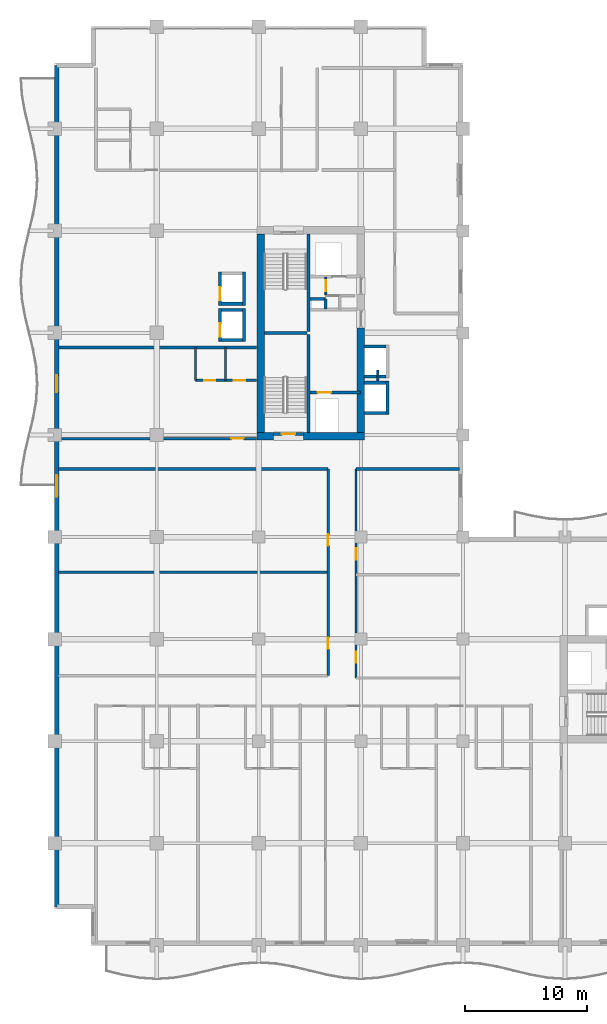
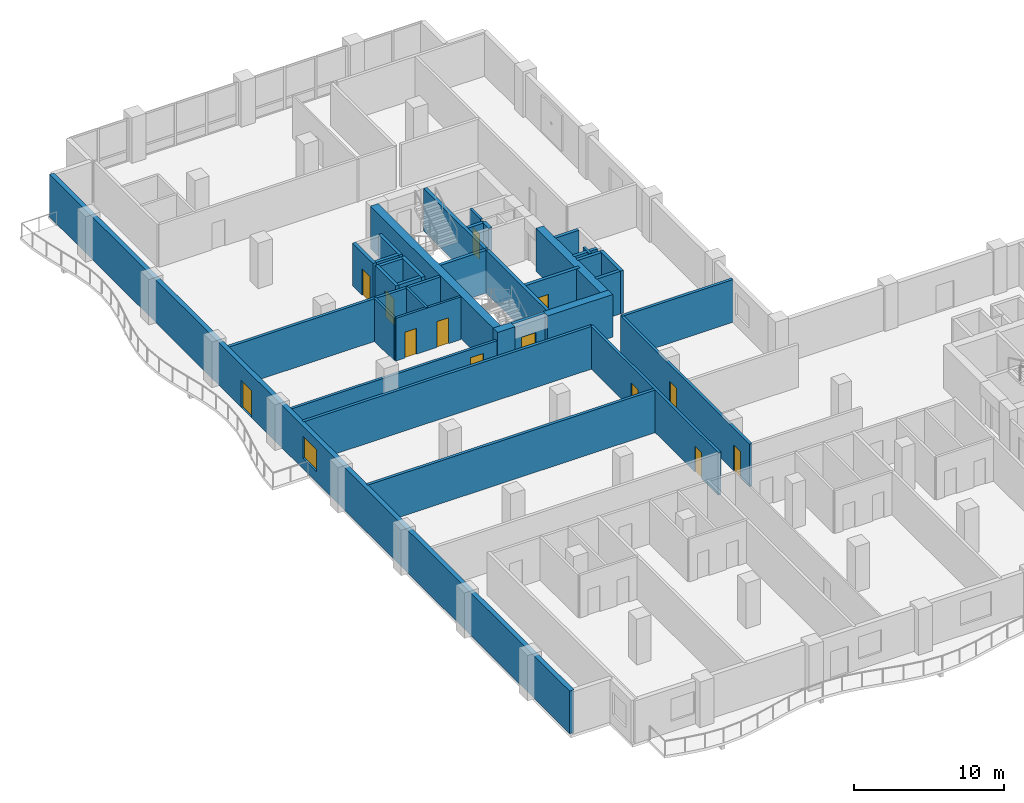
# One storey, part 9 of 18: 36 walls, 13 doors, 1 window, 14 openings.
"""IFC4 building model written with IfcOpenShell, lengths in metres."""

from ifc_helpers import new_model, si_unit, direction, frame, frame_2d, origin, place, context, subcontext, project, spatial, rectangle, extrude, material, layer, layer_set, type_object, element, fill, save


model = new_model("IFC4")

# Units and contexts
model_context = context("Model", 3, precision=1e-05, world=origin(), true_north=direction((0.0, 1.0)))
body_context = subcontext(model_context, "Body", "Model", "MODEL_VIEW")
ifc_project = project(units=[si_unit("LENGTHUNIT", "METRE"), si_unit("AREAUNIT", "SQUARE_METRE"), si_unit("VOLUMEUNIT", "CUBIC_METRE"), si_unit("PLANEANGLEUNIT", "RADIAN"), si_unit("MASSUNIT", "GRAM", prefix="KILO")], contexts=[model_context])

# Site, building, storey
site_placement = place(None, origin())
site = spatial("IfcSite", under=ifc_project, at=site_placement, CompositionType="ELEMENT")
building_placement = place(site_placement, origin())
building = spatial("IfcBuilding", under=site, at=building_placement, Name="Koriwani Terraces Tower", CompositionType="ELEMENT")
storey_placement = place(building_placement, frame((0.0, 0.0, 205.0)))
storey = spatial("IfcBuildingStorey", under=building, at=storey_placement, Name="L50", CompositionType="ELEMENT", Elevation=205.0)

# Walls
ifc_material_1 = material(Name="Concrete C60/75", Category="concrete")
ifc_layer_1 = layer(ifc_material_1, 0.60009765625, Name="Concrete C60/75")
ifc_layer_set_1 = layer_set([ifc_layer_1], Name="Concrete C60/75")
wall_type_1 = type_object("IfcWallType", Name="WALL_CORE_RC_600", PredefinedType="SHEAR", material=ifc_layer_set_1)
wall_1_placement = place(storey_placement, frame((16.64990234375, 41.89990234375, 0.0), z_axis=(0.0, 0.0, 1.0), x_axis=(1.0, 0.0, 0.0)))
element("IfcWall", 1, at=wall_1_placement, inside=storey, type_object=wall_type_1, Name="L50 West Split Core Shear Wall S1", PredefinedType="SHEAR", context=body_context, shape_type="SweptSolid", body=[
    extrude(rectangle(XDim=1.35009765625, YDim=0.60009765625, at=frame_2d((0.675048828125, 0.0))), origin(), (0.0, 0.0, 1.0), 3.469970703125),
])
wall_2_placement = place(storey_placement, frame((20.5, 41.89990234375, 0.0), z_axis=(0.0, 0.0, 1.0), x_axis=(1.0, 0.0, 0.0)))
element("IfcWall", 2, at=wall_2_placement, inside=storey, type_object=wall_type_1, Name="L50 West Split Core Shear Wall S2", PredefinedType="SHEAR", context=body_context, shape_type="SweptSolid", body=[
    extrude(rectangle(XDim=5.0, YDim=0.60009765625, at=frame_2d((2.5, 0.0))), origin(), (0.0, 0.0, 1.0), 3.469970703125),
])
wall_3_placement = place(storey_placement, frame((16.949951171875, 42.199951171875, 0.0), z_axis=(0.0, 0.0, 1.0), x_axis=(0.0, 1.0, 0.0)))
element("IfcWall", 3, at=wall_3_placement, inside=storey, type_object=wall_type_1, Name="L50 West Split Core Shear Wall W1", PredefinedType="SHEAR", context=body_context, shape_type="SweptSolid", body=[
    extrude(rectangle(XDim=16.35009765625, YDim=0.60009765625, at=frame_2d((8.175048828125, 0.0))), origin(), (0.0, 0.0, 1.0), 3.469970703125),
])
wall_4_placement = place(storey_placement, frame((25.199951171875, 42.199951171875, 0.0), z_axis=(0.0, 0.0, 1.0), x_axis=(0.0, 1.0, 0.0)))
element("IfcWall", 4, at=wall_4_placement, inside=storey, type_object=wall_type_1, Name="L50 West Split Core Shear Wall E1", PredefinedType="SHEAR", context=body_context, shape_type="SweptSolid", body=[
    extrude(rectangle(XDim=8.60009765625, YDim=0.60009765625, at=frame_2d((4.300048828125, 0.0))), origin(), (0.0, 0.0, 1.0), 3.469970703125),
])

# Wall, opening, door
ifc_material_2 = material(Name="Autoclaved Cellular Concrete Blockwork", Category="masonry")
ifc_layer_2 = layer(ifc_material_2, 0.199951171875, Name="Autoclaved Cellular Concrete Blockwork")
ifc_layer_set_2 = layer_set([ifc_layer_2], Name="Autoclaved Cellular Concrete Blockwork")
wall_type_2 = type_object("IfcWallType", Name="WALL_CORRIDOR_200", PredefinedType="PARTITIONING", material=ifc_layer_set_2)
wall_5_placement = place(storey_placement, frame((0.35009765625, 41.699951171875, 0.0), z_axis=(0.0, 0.0, 1.0), x_axis=(1.0, 0.0, 0.0)))
wall_5 = element("IfcWall", 5, at=wall_5_placement, inside=storey, type_object=wall_type_2, Name="L50 Interior Wall WREC-WS-L50", PredefinedType="PARTITIONING", context=body_context, shape_type="SweptSolid", body=[
    extrude(rectangle(XDim=16.25, YDim=0.199951171875, at=frame_2d((8.125, 0.0))), origin(), (0.0, 0.0, 1.0), 2.820068359375),
])
opening_1_placement = place(wall_5_placement, frame((14.199951171875, 0.0, 0.0)))
opening_1 = element("IfcOpeningElement", 6, at=opening_1_placement, cuts=wall_5, Name="Opening D-05", PredefinedType="OPENING", context=body_context, shape_type="SweptSolid", body=[
    extrude(rectangle(XDim=1.0, YDim=2.14990234375, at=frame_2d((0.5, 1.074951171875))), frame((0.0, 0.10986328125, 0.0), z_axis=(0.0, -1.0, 0.0), x_axis=(1.0, 0.0, 0.0)), (0.0, 0.0, 1.0), 0.219970703125),
])
ifc_material_3 = material(Name="Architectural Oak Fire Door", Category="wood")
door_type_1 = type_object("IfcDoorType", Name="DOOR_SUITE_ENTRY_1000X2150", OperationType="NOTDEFINED", PredefinedType="DOOR", material=ifc_material_3)
door_1_placement = place(opening_1_placement, origin())
door_1 = element("IfcDoor", 7, at=door_1_placement, inside=storey, type_object=door_type_1, Name="L50 Reclaimed West Suite Door", OperationType="SINGLE_SWING_RIGHT", OverallHeight=2.14990234375, OverallWidth=1.0, PredefinedType="DOOR", context=body_context, shape_type="SweptSolid", body=[
    extrude(rectangle(XDim=1.0, YDim=2.14990234375, at=frame_2d((0.5, 1.074951171875))), frame((0.0, 0.02490234375, 0.0), z_axis=(0.0, -1.0, 0.0), x_axis=(1.0, 0.0, 0.0)), (0.0, 0.0, 1.0), 0.050048828125),
])
fill(opening_1, door_1)

# Wall, openings, doors
wall_6_placement = place(storey_placement, frame((24.800048828125, 22.0, 0.0), z_axis=(0.0, 0.0, 1.0), x_axis=(0.0, 1.0, 0.0)))
wall_6 = element("IfcWall", 8, at=wall_6_placement, inside=storey, type_object=wall_type_2, Name="L50 Interior Wall WIC2-W-L50", PredefinedType="PARTITIONING", context=body_context, shape_type="SweptSolid", body=[
    extrude(rectangle(XDim=17.199951171875, YDim=0.199951171875, at=frame_2d((8.60009765625, 0.0))), origin(), (0.0, 0.0, 1.0), 3.469970703125),
])
opening_2_placement = place(wall_6_placement, frame((1.25, 0.0, 0.0)))
opening_2 = element("IfcOpeningElement", 9, at=opening_2_placement, cuts=wall_6, Name="Opening D-06", PredefinedType="OPENING", context=body_context, shape_type="SweptSolid", body=[
    extrude(rectangle(XDim=0.919921875, YDim=2.10009765625, at=frame_2d((0.4599609375, 1.050048828125))), frame((0.0, 0.10986328125, 0.0), z_axis=(0.0, -1.0, 0.0), x_axis=(1.0, 0.0, 0.0)), (0.0, 0.0, 1.0), 0.219970703125),
])
opening_3_placement = place(wall_6_placement, frame((9.75, 0.0, 0.0)))
opening_3 = element("IfcOpeningElement", 10, at=opening_3_placement, cuts=wall_6, Name="Opening D-06", PredefinedType="OPENING", context=body_context, shape_type="SweptSolid", body=[
    extrude(rectangle(XDim=0.919921875, YDim=2.10009765625, at=frame_2d((0.4599609375, 1.050048828125))), frame((0.0, 0.10986328125, 0.0), z_axis=(0.0, -1.0, 0.0), x_axis=(1.0, 0.0, 0.0)), (0.0, 0.0, 1.0), 0.219970703125),
])
door_type_2 = type_object("IfcDoorType", Name="DOOR_ROOM_INT_920X2100", OperationType="NOTDEFINED", PredefinedType="DOOR", material=ifc_material_3)
door_2_placement = place(opening_2_placement, origin())
door_2 = element("IfcDoor", 11, at=door_2_placement, inside=storey, type_object=door_type_2, Name="L50 Inner Court Salon Door", OperationType="SINGLE_SWING_RIGHT", OverallHeight=2.10009765625, OverallWidth=0.919921875, PredefinedType="DOOR", context=body_context, shape_type="SweptSolid", body=[
    extrude(rectangle(XDim=0.919921875, YDim=2.10009765625, at=frame_2d((0.4599609375, 1.050048828125))), frame((0.0, 0.02490234375, 0.0), z_axis=(0.0, -1.0, 0.0), x_axis=(1.0, 0.0, 0.0)), (0.0, 0.0, 1.0), 0.050048828125),
])
fill(opening_2, door_2)
door_3_placement = place(opening_3_placement, origin())
door_3 = element("IfcDoor", 12, at=door_3_placement, inside=storey, type_object=door_type_2, Name="L50 Inner Court Media Room Door", OperationType="SINGLE_SWING_LEFT", OverallHeight=2.10009765625, OverallWidth=0.919921875, PredefinedType="DOOR", context=body_context, shape_type="SweptSolid", body=[
    extrude(rectangle(XDim=0.919921875, YDim=2.10009765625, at=frame_2d((0.4599609375, 1.050048828125))), frame((0.0, 0.02490234375, 0.0), z_axis=(0.0, -1.0, 0.0), x_axis=(1.0, 0.0, 0.0)), (0.0, 0.0, 1.0), 0.050048828125),
])
fill(opening_3, door_3)

wall_7_placement = place(storey_placement, frame((22.5, 22.199951171875, 0.0), z_axis=(0.0, 0.0, 1.0), x_axis=(0.0, 1.0, 0.0)))
wall_7 = element("IfcWall", 13, at=wall_7_placement, inside=storey, type_object=wall_type_2, Name="L50 Interior Wall WNW3CL-L50", PredefinedType="PARTITIONING", context=body_context, shape_type="SweptSolid", body=[
    extrude(rectangle(XDim=17.0, YDim=0.199951171875, at=frame_2d((8.5, 0.0))), origin(), (0.0, 0.0, 1.0), 3.469970703125),
])
opening_4_placement = place(wall_7_placement, frame((2.199951171875, 0.0, 0.0)))
opening_4 = element("IfcOpeningElement", 14, at=opening_4_placement, cuts=wall_7, Name="Opening D-06", PredefinedType="OPENING", context=body_context, shape_type="SweptSolid", body=[
    extrude(rectangle(XDim=0.919921875, YDim=2.10009765625, at=frame_2d((0.4599609375, 1.050048828125))), frame((0.0, 0.10986328125, 0.0), z_axis=(0.0, -1.0, 0.0), x_axis=(1.0, 0.0, 0.0)), (0.0, 0.0, 1.0), 0.219970703125),
])
opening_5_placement = place(wall_7_placement, frame((10.699951171875, 0.0, 0.0)))
opening_5 = element("IfcOpeningElement", 15, at=opening_5_placement, cuts=wall_7, Name="Opening D-06", PredefinedType="OPENING", context=body_context, shape_type="SweptSolid", body=[
    extrude(rectangle(XDim=0.919921875, YDim=2.10009765625, at=frame_2d((0.4599609375, 1.050048828125))), frame((0.0, 0.10986328125, 0.0), z_axis=(0.0, -1.0, 0.0), x_axis=(1.0, 0.0, 0.0)), (0.0, 0.0, 1.0), 0.219970703125),
])
door_4_placement = place(opening_4_placement, origin())
door_4 = element("IfcDoor", 16, at=door_4_placement, inside=storey, type_object=door_type_2, Name="L50 Resident Wellness Studio Door", OperationType="SINGLE_SWING_LEFT", OverallHeight=2.10009765625, OverallWidth=0.919921875, PredefinedType="DOOR", context=body_context, shape_type="SweptSolid", body=[
    extrude(rectangle(XDim=0.919921875, YDim=2.10009765625, at=frame_2d((0.4599609375, 1.050048828125))), frame((0.0, 0.02490234375, 0.0), z_axis=(0.0, -1.0, 0.0), x_axis=(1.0, 0.0, 0.0)), (0.0, 0.0, 1.0), 0.050048828125),
])
fill(opening_4, door_4)
door_5_placement = place(opening_5_placement, origin())
door_5 = element("IfcDoor", 17, at=door_5_placement, inside=storey, type_object=door_type_2, Name="L50 Resident Cinema Lounge Door", OperationType="SINGLE_SWING_RIGHT", OverallHeight=2.10009765625, OverallWidth=0.919921875, PredefinedType="DOOR", context=body_context, shape_type="SweptSolid", body=[
    extrude(rectangle(XDim=0.919921875, YDim=2.10009765625, at=frame_2d((0.4599609375, 1.050048828125))), frame((0.0, 0.02490234375, 0.0), z_axis=(0.0, -1.0, 0.0), x_axis=(1.0, 0.0, 0.0)), (0.0, 0.0, 1.0), 0.050048828125),
])
fill(opening_5, door_5)

# Walls
ifc_layer_3 = layer(ifc_material_2, 0.219970703125, Name="Autoclaved Cellular Concrete Blockwork")
ifc_layer_set_3 = layer_set([ifc_layer_3], Name="Autoclaved Cellular Concrete Blockwork")
wall_type_3 = type_object("IfcWallType", Name="WALL_DEMISING_220", PredefinedType="PARTITIONING", material=ifc_layer_set_3)
wall_8_placement = place(storey_placement, frame((0.35009765625, 49.199951171875, 0.0), z_axis=(0.0, 0.0, 1.0), x_axis=(1.0, 0.0, 0.0)))
element("IfcWall", 18, at=wall_8_placement, inside=storey, type_object=wall_type_3, Name="L50 Interior Wall WREC-WN-L50", PredefinedType="PARTITIONING", context=body_context, shape_type="SweptSolid", body=[
    extrude(rectangle(XDim=16.25, YDim=0.219970703125, at=frame_2d((8.125, 0.0))), origin(), (0.0, 0.0, 1.0), 3.469970703125),
])
wall_9_placement = place(storey_placement, frame((24.800048828125, 39.199951171875, 0.0), z_axis=(0.0, 0.0, 1.0), x_axis=(1.0, 0.0, 0.0)))
element("IfcWall", 19, at=wall_9_placement, inside=storey, type_object=wall_type_3, Name="L50 Interior Wall WIC2-N-L50", PredefinedType="PARTITIONING", context=body_context, shape_type="SweptSolid", body=[
    extrude(rectangle(XDim=8.5, YDim=0.219970703125, at=frame_2d((4.25, 0.0))), origin(), (0.0, 0.0, 1.0), 3.469970703125),
])
for number, where, z_axis, x_axis, name in (
    (20, (0.300048828125, 30.699951171875, 0.0), (0.0, 0.0, 1.0), (1.0, 0.0, 0.0), "L50 Interior Wall WNW3M-L50"),
    (21, (0.300048828125, 39.199951171875, 0.0), (0.0, 0.0, 1.0), (1.0, 0.0, 0.0), "L50 Interior Wall WNW3N-L50"),
):
    element("IfcWall", number, at=place(storey_placement, frame(where, z_axis=z_axis, x_axis=x_axis)), inside=storey, type_object=wall_type_3, Name=name, PredefinedType="PARTITIONING", context=body_context, shape_type="SweptSolid", body=[
        extrude(rectangle(XDim=22.199951171875, YDim=0.219970703125, at=frame_2d((11.10009765625, 0.0))), origin(), (0.0, 0.0, 1.0), 3.469970703125),
    ])

# Wall, openings, door, window
ifc_material_4 = material(Name="Concrete C50/60", Category="concrete")
ifc_layer_4 = layer(ifc_material_4, 0.35009765625, Name="Concrete C50/60")
ifc_layer_set_4 = layer_set([ifc_layer_4], Name="Concrete C50/60")
wall_type_4 = type_object("IfcWallType", Name="WALL_EXT_BRUTALIST_350", PredefinedType="STANDARD", material=ifc_layer_set_4)
wall_10_placement = place(storey_placement, frame((0.175048828125, 3.175048828125, 0.0), z_axis=(0.0, 0.0, 1.0), x_axis=(0.0, 1.0, 0.0)))
wall_10 = element("IfcWall", 22, at=wall_10_placement, inside=storey, type_object=wall_type_4, Name="L50 Fair-Faced Brutalist Exterior Wall (W)", PredefinedType="STANDARD", context=body_context, shape_type="SweptSolid", body=[
    extrude(rectangle(XDim=69.25, YDim=0.35009765625, at=frame_2d((34.625, 0.0))), origin(), (0.0, 0.0, 1.0), 3.469970703125),
])
opening_6_placement = place(wall_10_placement, frame((42.324951171875, 0.0, 0.0)))
opening_6 = element("IfcOpeningElement", 23, at=opening_6_placement, cuts=wall_10, Name="Opening D-09", PredefinedType="OPENING", context=body_context, shape_type="SweptSolid", body=[
    extrude(rectangle(XDim=1.39990234375, YDim=2.199951171875, at=frame_2d((0.699951171875, 1.10009765625))), frame((0.0, 0.18505859375, 0.0), z_axis=(0.0, -1.0, 0.0), x_axis=(1.0, 0.0, 0.0)), (0.0, 0.0, 1.0), 0.3701171875),
])
opening_7_placement = place(wall_10_placement, frame((33.72509765625, 0.0, 0.85009765625)))
opening_7 = element("IfcOpeningElement", 24, at=opening_7_placement, cuts=wall_10, Name="Opening W-04", PredefinedType="OPENING", context=body_context, shape_type="SweptSolid", body=[
    extrude(rectangle(XDim=1.800048828125, YDim=1.800048828125, at=frame_2d((0.89990234375, 0.89990234375))), frame((0.0, 0.18505859375, 0.0), z_axis=(0.0, -1.0, 0.0), x_axis=(1.0, 0.0, 0.0)), (0.0, 0.0, 1.0), 0.3701171875),
])
ifc_material_5 = material(Name="Anodised Bronze Aluminium", Category="aluminium")
door_type_3 = type_object("IfcDoorType", Name="DOOR_BALCONY_GLAZED_1400X2200", OperationType="NOTDEFINED", PredefinedType="DOOR", material=ifc_material_5)
door_6_placement = place(opening_6_placement, origin())
door_6 = element("IfcDoor", 25, at=door_6_placement, inside=storey, type_object=door_type_3, Name="L50 West Balcony Glazed Door", OperationType="SINGLE_SWING_LEFT", OverallHeight=2.199951171875, OverallWidth=1.39990234375, PredefinedType="DOOR", context=body_context, shape_type="SweptSolid", body=[
    extrude(rectangle(XDim=1.39990234375, YDim=2.199951171875, at=frame_2d((0.699951171875, 1.10009765625))), frame((0.0, 0.02490234375, 0.0), z_axis=(0.0, -1.0, 0.0), x_axis=(1.0, 0.0, 0.0)), (0.0, 0.0, 1.0), 0.050048828125),
])
fill(opening_6, door_6)
ifc_material_6 = material(Name="Tempered Laminated Low-E Glass", Category="glass")
window_type = type_object("IfcWindowType", Name="WIN_RES_BED_1800X1800", PartitioningType="DOUBLE_PANEL_VERTICAL", PredefinedType="WINDOW", material=ifc_material_6)
window_placement = place(opening_7_placement, origin())
window = element("IfcWindow", 26, at=window_placement, inside=storey, type_object=window_type, Name="L50 Exterior Window (W-12)", OverallHeight=1.800048828125, OverallWidth=1.800048828125, PartitioningType="SINGLE_PANEL", PredefinedType="WINDOW", context=body_context, shape_type="SweptSolid", body=[
    extrude(rectangle(XDim=1.800048828125, YDim=1.800048828125, at=frame_2d((0.89990234375, 0.89990234375))), frame((0.0, 0.030029296875, 0.0), z_axis=(0.0, -1.0, 0.0), x_axis=(1.0, 0.0, 0.0)), (0.0, 0.0, 1.0), 0.06005859375),
])
fill(opening_7, window)

# Wall, openings, doors
ifc_material_7 = material(Name="Fire-Rated Acoustic Gypsum Partition", Category="masonry")
ifc_layer_5 = layer(ifc_material_7, 0.179931640625, Name="Fire-Rated Acoustic Gypsum Partition")
ifc_layer_set_5 = layer_set([ifc_layer_5], Name="Fire-Rated Acoustic Gypsum Partition")
wall_type_5 = type_object("IfcWallType", Name="WALL_PLUMBING_180", PredefinedType="PLUMBINGWALL", material=ifc_layer_set_5)
wall_11_placement = place(storey_placement, frame((11.60009765625, 46.5, 0.0), z_axis=(0.0, 0.0, 1.0), x_axis=(1.0, 0.0, 0.0)))
wall_11 = element("IfcWall", 27, at=wall_11_placement, inside=storey, type_object=wall_type_5, Name="L50 Interior Wall WREC-WBB-L50", PredefinedType="PLUMBINGWALL", context=body_context, shape_type="SweptSolid", body=[
    extrude(rectangle(XDim=5.0, YDim=0.179931640625, at=frame_2d((2.5, 0.0))), origin(), (0.0, 0.0, 1.0), 3.469970703125),
])
opening_8_placement = place(wall_11_placement, frame((0.699951171875, 0.0, 0.0)))
opening_8 = element("IfcOpeningElement", 28, at=opening_8_placement, cuts=wall_11, Name="Opening D-07", PredefinedType="OPENING", context=body_context, shape_type="SweptSolid", body=[
    extrude(rectangle(XDim=0.89990234375, YDim=2.10009765625, at=frame_2d((0.449951171875, 1.050048828125))), frame((0.0, 0.10009765625, 0.0), z_axis=(0.0, -1.0, 0.0), x_axis=(1.0, 0.0, 0.0)), (0.0, 0.0, 1.0), 0.199951171875),
])
opening_9_placement = place(wall_11_placement, frame((3.14990234375, 0.0, 0.0)))
opening_9 = element("IfcOpeningElement", 29, at=opening_9_placement, cuts=wall_11, Name="Opening D-06", PredefinedType="OPENING", context=body_context, shape_type="SweptSolid", body=[
    extrude(rectangle(XDim=0.919921875, YDim=2.10009765625, at=frame_2d((0.4599609375, 1.050048828125))), frame((0.0, 0.10009765625, 0.0), z_axis=(0.0, -1.0, 0.0), x_axis=(1.0, 0.0, 0.0)), (0.0, 0.0, 1.0), 0.199951171875),
])
door_type_4 = type_object("IfcDoorType", Name="DOOR_BATH_INT_900X2100", OperationType="NOTDEFINED", PredefinedType="DOOR", material=ifc_material_3)
door_7_placement = place(opening_8_placement, origin())
door_7 = element("IfcDoor", 30, at=door_7_placement, inside=storey, type_object=door_type_4, Name="Apartment 50RW Bathroom Door", OperationType="SINGLE_SWING_LEFT", OverallHeight=2.10009765625, OverallWidth=0.89990234375, PredefinedType="DOOR", context=body_context, shape_type="SweptSolid", body=[
    extrude(rectangle(XDim=0.89990234375, YDim=2.10009765625, at=frame_2d((0.449951171875, 1.050048828125))), frame((0.0, 0.02490234375, 0.0), z_axis=(0.0, -1.0, 0.0), x_axis=(1.0, 0.0, 0.0)), (0.0, 0.0, 1.0), 0.050048828125),
])
fill(opening_8, door_7)
door_8_placement = place(opening_9_placement, origin())
door_8 = element("IfcDoor", 31, at=door_8_placement, inside=storey, type_object=door_type_2, Name="Apartment 50RW Kitchen Door", OperationType="SINGLE_SWING_RIGHT", OverallHeight=2.10009765625, OverallWidth=0.919921875, PredefinedType="DOOR", context=body_context, shape_type="SweptSolid", body=[
    extrude(rectangle(XDim=0.919921875, YDim=2.10009765625, at=frame_2d((0.4599609375, 1.050048828125))), frame((0.0, 0.02490234375, 0.0), z_axis=(0.0, -1.0, 0.0), x_axis=(1.0, 0.0, 0.0)), (0.0, 0.0, 1.0), 0.050048828125),
])
fill(opening_9, door_8)

# Walls
for number, where, z_axis, x_axis, name in (
    (32, (11.60009765625, 46.5, 0.0), (0.0, 0.0, 1.0), (0.0, 1.0, 0.0), "L50 Interior Wall WREC-WB2-L50"),
    (33, (14.050048828125, 46.5, 0.0), (0.0, 0.0, 1.0), (0.0, 1.0, 0.0), "L50 Interior Wall WREC-WB3-L50"),
):
    element("IfcWall", number, at=place(storey_placement, frame(where, z_axis=z_axis, x_axis=x_axis)), inside=storey, type_object=wall_type_5, Name=name, PredefinedType="PLUMBINGWALL", context=body_context, shape_type="SweptSolid", body=[
        extrude(rectangle(XDim=2.699951171875, YDim=0.179931640625, at=frame_2d((1.35009765625, 0.0))), origin(), (0.0, 0.0, 1.0), 3.469970703125),
    ])
ifc_material_8 = material(Name="Concrete C40/50", Category="concrete")
ifc_layer_6 = layer(ifc_material_8, 0.25, Name="Concrete C40/50")
ifc_layer_set_6 = layer_set([ifc_layer_6], Name="Concrete C40/50")
wall_type_6 = type_object("IfcWallType", Name="WALL_SHAFT_RATED_250", PredefinedType="SOLIDWALL", material=ifc_layer_set_6)
for number, where, z_axis, x_axis, name in (
    (34, (20.875, 42.199951171875, 0.0), (0.0, 0.0, 1.0), (0.0, 1.0, 0.0), "L50 West Split Core Web Wall MID1"),
    (35, (20.875, 50.5, 0.0), (0.0, 0.0, 1.0), (0.0, 1.0, 0.0), "L50 West Split Core Web Wall MID2"),
):
    element("IfcWall", number, at=place(storey_placement, frame(where, z_axis=z_axis, x_axis=x_axis)), inside=storey, type_object=wall_type_6, Name=name, PredefinedType="SOLIDWALL", context=body_context, shape_type="SweptSolid", body=[
        extrude(rectangle(XDim=8.050048828125, YDim=0.25, at=frame_2d((4.02490234375, 0.0))), origin(), (0.0, 0.0, 1.0), 3.469970703125),
    ])
wall_12_placement = place(storey_placement, frame((17.25, 50.375, 0.0), z_axis=(0.0, 0.0, 1.0), x_axis=(1.0, 0.0, 0.0)))
element("IfcWall", 36, at=wall_12_placement, inside=storey, type_object=wall_type_6, Name="L50 West Split Core Stair Dividing Wall", PredefinedType="SOLIDWALL", context=body_context, shape_type="SweptSolid", body=[
    extrude(rectangle(XDim=3.5, YDim=0.25, at=frame_2d((1.75, 0.0))), origin(), (0.0, 0.0, 1.0), 3.469970703125),
])

# Wall, opening, door
wall_13_placement = place(storey_placement, frame((18.0, 42.074951171875, 0.0), z_axis=(0.0, 0.0, 1.0), x_axis=(1.0, 0.0, 0.0)))
wall_13 = element("IfcWall", 37, at=wall_13_placement, inside=storey, type_object=wall_type_6, Name="L50 Interior Wall WIN-CW-L50-STS", PredefinedType="SOLIDWALL", context=body_context, shape_type="SweptSolid", body=[
    extrude(rectangle(XDim=2.5, YDim=0.25, at=frame_2d((1.25, 0.0))), origin(), (0.0, 0.0, 1.0), 3.469970703125),
])
opening_10_placement = place(wall_13_placement, frame((0.699951171875, 0.0, 0.0)))
opening_10 = element("IfcOpeningElement", 38, at=opening_10_placement, cuts=wall_13, Name="Opening D-03", PredefinedType="OPENING", context=body_context, shape_type="SweptSolid", body=[
    extrude(rectangle(XDim=1.10009765625, YDim=2.14990234375, at=frame_2d((0.550048828125, 1.074951171875))), frame((0.0, 0.135009765625, 0.0), z_axis=(0.0, -1.0, 0.0), x_axis=(1.0, 0.0, 0.0)), (0.0, 0.0, 1.0), 0.27001953125),
])
ifc_material_9 = material(Name="Steel ASTM A572 Grade 50", Category="steel")
door_type_5 = type_object("IfcDoorType", Name="DOOR_STAIR_FIRE_1100X2150", OperationType="NOTDEFINED", PredefinedType="DOOR", material=ifc_material_9)
door_9_placement = place(opening_10_placement, origin())
door_9 = element("IfcDoor", 39, at=door_9_placement, inside=storey, type_object=door_type_5, Name="L50 Exit Stair ST-W1 Door", OperationType="SINGLE_SWING_RIGHT", OverallHeight=2.14990234375, OverallWidth=1.10009765625, PredefinedType="DOOR", context=body_context, shape_type="SweptSolid", body=[
    extrude(rectangle(XDim=1.10009765625, YDim=2.14990234375, at=frame_2d((0.550048828125, 1.074951171875))), frame((0.0, 0.02490234375, 0.0), z_axis=(0.0, -1.0, 0.0), x_axis=(1.0, 0.0, 0.0)), (0.0, 0.0, 1.0), 0.050048828125),
])
fill(opening_10, door_9)

wall_14_placement = place(storey_placement, frame((21.0, 45.5, 0.0), z_axis=(0.0, 0.0, 1.0), x_axis=(1.0, 0.0, 0.0)))
wall_14 = element("IfcWall", 40, at=wall_14_placement, inside=storey, type_object=wall_type_6, Name="L50 Interior Wall WIN-CW-L50-FE", PredefinedType="SOLIDWALL", context=body_context, shape_type="SweptSolid", body=[
    extrude(rectangle(XDim=4.14990234375, YDim=0.25, at=frame_2d((2.074951171875, 0.0))), origin(), (0.0, 0.0, 1.0), 3.469970703125),
])
opening_11_placement = place(wall_14_placement, frame((0.64990234375, 0.0, 0.0)))
opening_11 = element("IfcOpeningElement", 41, at=opening_11_placement, cuts=wall_14, Name="Opening LD-01", PredefinedType="OPENING", context=body_context, shape_type="SweptSolid", body=[
    extrude(rectangle(XDim=1.10009765625, YDim=2.14990234375, at=frame_2d((0.550048828125, 1.074951171875))), frame((0.0, 0.135009765625, 0.0), z_axis=(0.0, -1.0, 0.0), x_axis=(1.0, 0.0, 0.0)), (0.0, 0.0, 1.0), 0.27001953125),
])
door_type_6 = type_object("IfcDoorType", Name="DOOR_LIFT_LANDING_1100X2200", OperationType="NOTDEFINED", PredefinedType="DOOR", material=ifc_material_9)
door_10_placement = place(opening_11_placement, origin())
door_10 = element("IfcDoor", 42, at=door_10_placement, inside=storey, type_object=door_type_6, Name="L50 Firefighting Lift FE-01 Landing Door", OperationType="SLIDING_TO_LEFT", OverallHeight=2.14990234375, OverallWidth=1.10009765625, PredefinedType="DOOR", context=body_context, shape_type="SweptSolid", body=[
    extrude(rectangle(XDim=1.10009765625, YDim=2.14990234375, at=frame_2d((0.550048828125, 1.074951171875))), frame((0.0, 0.02490234375, 0.0), z_axis=(0.0, -1.0, 0.0), x_axis=(1.0, 0.0, 0.0)), (0.0, 0.0, 1.0), 0.050048828125),
])
fill(opening_11, door_10)

# Walls
wall_15_placement = place(storey_placement, frame((21.0, 53.199951171875, 0.0), z_axis=(0.0, 0.0, 1.0), x_axis=(1.0, 0.0, 0.0)))
element("IfcWall", 43, at=wall_15_placement, inside=storey, type_object=wall_type_6, Name="L50 Interior Wall WIN-CW-L50-RS1", PredefinedType="SOLIDWALL", context=body_context, shape_type="SweptSolid", body=[
    extrude(rectangle(XDim=1.300048828125, YDim=0.25, at=frame_2d((0.64990234375, 0.0))), origin(), (0.0, 0.0, 1.0), 3.469970703125),
])
wall_16_placement = place(storey_placement, frame((22.300048828125, 52.360107421875, 0.0), z_axis=(0.0, 0.0, 1.0), x_axis=(0.0, 1.0, 0.0)))
element("IfcWall", 44, at=wall_16_placement, inside=storey, type_object=wall_type_6, Name="L50 Interior Wall WIN-CW-L50-RS2", PredefinedType="SOLIDWALL", context=body_context, shape_type="SweptSolid", body=[
    extrude(rectangle(XDim=0.83984375, YDim=0.25, at=frame_2d((0.419921875, 0.0))), origin(), (0.0, 0.0, 1.0), 3.469970703125),
])

# Wall, opening, door
wall_17_placement = place(storey_placement, frame((13.60009765625, 49.675048828125, 0.0), z_axis=(0.0, 0.0, 1.0), x_axis=(0.0, 1.0, 0.0)))
wall_17 = element("IfcWall", 45, at=wall_17_placement, inside=storey, type_object=wall_type_6, Name="L50 Interior Wall WIN-LF-PE-M1-L50-F", PredefinedType="SOLIDWALL", context=body_context, shape_type="SweptSolid", body=[
    extrude(rectangle(XDim=2.75, YDim=0.25, at=frame_2d((1.375, 0.0))), origin(), (0.0, 0.0, 1.0), 3.469970703125),
])
opening_12_placement = place(wall_17_placement, frame((0.39990234375, 0.0, 0.0)))
opening_12 = element("IfcOpeningElement", 46, at=opening_12_placement, cuts=wall_17, Name="Opening LD-01", PredefinedType="OPENING", context=body_context, shape_type="SweptSolid", body=[
    extrude(rectangle(XDim=1.10009765625, YDim=2.14990234375, at=frame_2d((0.550048828125, 1.074951171875))), frame((0.0, 0.135009765625, 0.0), z_axis=(0.0, -1.0, 0.0), x_axis=(1.0, 0.0, 0.0)), (0.0, 0.0, 1.0), 0.27001953125),
])
door_11_placement = place(opening_12_placement, origin())
door_11 = element("IfcDoor", 47, at=door_11_placement, inside=storey, type_object=door_type_6, Name="L50 Passenger Lift PE-M1 Landing Door", OperationType="SLIDING_TO_LEFT", OverallHeight=2.14990234375, OverallWidth=1.10009765625, PredefinedType="DOOR", context=body_context, shape_type="SweptSolid", body=[
    extrude(rectangle(XDim=1.10009765625, YDim=2.14990234375, at=frame_2d((0.550048828125, 1.074951171875))), frame((0.0, 0.02490234375, 0.0), z_axis=(0.0, -1.0, 0.0), x_axis=(1.0, 0.0, 0.0)), (0.0, 0.0, 1.0), 0.050048828125),
])
fill(opening_12, door_11)

# Walls
wall_18_placement = place(storey_placement, frame((15.60009765625, 49.675048828125, 0.0), z_axis=(0.0, 0.0, 1.0), x_axis=(0.0, 1.0, 0.0)))
element("IfcWall", 48, at=wall_18_placement, inside=storey, type_object=wall_type_6, Name="L50 Interior Wall WIN-LF-PE-M1-L50-B", PredefinedType="SOLIDWALL", context=body_context, shape_type="SweptSolid", body=[
    extrude(rectangle(XDim=2.75, YDim=0.25, at=frame_2d((1.375, 0.0))), origin(), (0.0, 0.0, 1.0), 3.469970703125),
])
for number, where, z_axis, x_axis, name in (
    (49, (13.72509765625, 49.800048828125, 0.0), (0.0, 0.0, 1.0), (1.0, 0.0, 0.0), "L50 Interior Wall WIN-LF-PE-M1-L50-S"),
    (50, (13.72509765625, 52.300048828125, 0.0), (0.0, 0.0, 1.0), (1.0, 0.0, 0.0), "L50 Interior Wall WIN-LF-PE-M1-L50-N"),
):
    element("IfcWall", number, at=place(storey_placement, frame(where, z_axis=z_axis, x_axis=x_axis)), inside=storey, type_object=wall_type_6, Name=name, PredefinedType="SOLIDWALL", context=body_context, shape_type="SweptSolid", body=[
        extrude(rectangle(XDim=1.75, YDim=0.25, at=frame_2d((0.875, 0.0))), origin(), (0.0, 0.0, 1.0), 3.469970703125),
    ])

# Wall, opening, door
wall_19_placement = place(storey_placement, frame((13.60009765625, 52.675048828125, 0.0), z_axis=(0.0, 0.0, 1.0), x_axis=(0.0, 1.0, 0.0)))
wall_19 = element("IfcWall", 51, at=wall_19_placement, inside=storey, type_object=wall_type_6, Name="L50 Interior Wall WIN-LF-PE-M2-L50-F", PredefinedType="SOLIDWALL", context=body_context, shape_type="SweptSolid", body=[
    extrude(rectangle(XDim=2.75, YDim=0.25, at=frame_2d((1.375, 0.0))), origin(), (0.0, 0.0, 1.0), 3.469970703125),
])
opening_13_placement = place(wall_19_placement, frame((0.39990234375, 0.0, 0.0)))
opening_13 = element("IfcOpeningElement", 52, at=opening_13_placement, cuts=wall_19, Name="Opening LD-01", PredefinedType="OPENING", context=body_context, shape_type="SweptSolid", body=[
    extrude(rectangle(XDim=1.10009765625, YDim=2.14990234375, at=frame_2d((0.550048828125, 1.074951171875))), frame((0.0, 0.135009765625, 0.0), z_axis=(0.0, -1.0, 0.0), x_axis=(1.0, 0.0, 0.0)), (0.0, 0.0, 1.0), 0.27001953125),
])
door_12_placement = place(opening_13_placement, origin())
door_12 = element("IfcDoor", 53, at=door_12_placement, inside=storey, type_object=door_type_6, Name="L50 Passenger Lift PE-M2 Landing Door", OperationType="SLIDING_TO_LEFT", OverallHeight=2.14990234375, OverallWidth=1.10009765625, PredefinedType="DOOR", context=body_context, shape_type="SweptSolid", body=[
    extrude(rectangle(XDim=1.10009765625, YDim=2.14990234375, at=frame_2d((0.550048828125, 1.074951171875))), frame((0.0, 0.02490234375, 0.0), z_axis=(0.0, -1.0, 0.0), x_axis=(1.0, 0.0, 0.0)), (0.0, 0.0, 1.0), 0.050048828125),
])
fill(opening_13, door_12)

# Walls
wall_20_placement = place(storey_placement, frame((15.60009765625, 52.675048828125, 0.0), z_axis=(0.0, 0.0, 1.0), x_axis=(0.0, 1.0, 0.0)))
element("IfcWall", 54, at=wall_20_placement, inside=storey, type_object=wall_type_6, Name="L50 Interior Wall WIN-LF-PE-M2-L50-B", PredefinedType="SOLIDWALL", context=body_context, shape_type="SweptSolid", body=[
    extrude(rectangle(XDim=2.75, YDim=0.25, at=frame_2d((1.375, 0.0))), origin(), (0.0, 0.0, 1.0), 3.469970703125),
])
wall_21_placement = place(storey_placement, frame((13.72509765625, 52.800048828125, 0.0), z_axis=(0.0, 0.0, 1.0), x_axis=(1.0, 0.0, 0.0)))
element("IfcWall", 55, at=wall_21_placement, inside=storey, type_object=wall_type_6, Name="L50 Interior Wall WIN-LF-PE-M2-L50-S", PredefinedType="SOLIDWALL", context=body_context, shape_type="SweptSolid", body=[
    extrude(rectangle(XDim=1.75, YDim=0.25, at=frame_2d((0.875, 0.0))), origin(), (0.0, 0.0, 1.0), 3.469970703125),
])
wall_22_placement = place(storey_placement, frame((27.39990234375, 43.675048828125, 0.0), z_axis=(0.0, 0.0, 1.0), x_axis=(0.0, 1.0, 0.0)))
element("IfcWall", 56, at=wall_22_placement, inside=storey, type_object=wall_type_6, Name="L50 Interior Wall WIN-LF-PE-H1-L50-F", PredefinedType="SOLIDWALL", context=body_context, shape_type="SweptSolid", body=[
    extrude(rectangle(XDim=2.75, YDim=0.25, at=frame_2d((1.375, 0.0))), origin(), (0.0, 0.0, 1.0), 3.469970703125),
])
for number, where, z_axis, x_axis, name in (
    (57, (25.449951171875, 43.800048828125, 0.0), (0.0, 0.0, 1.0), (1.0, 0.0, 0.0), "L50 Interior Wall WIN-LF-PE-H1-L50-S"),
    (58, (25.449951171875, 46.300048828125, 0.0), (0.0, 0.0, 1.0), (1.0, 0.0, 0.0), "L50 Interior Wall WIN-LF-PE-H1-L50-N"),
    (59, (25.449951171875, 46.800048828125, 0.0), (0.0, 0.0, 1.0), (1.0, 0.0, 0.0), "L50 Interior Wall WIN-LF-PE-H2-L50-S"),
    (60, (25.449951171875, 49.300048828125, 0.0), (0.0, 0.0, 1.0), (1.0, 0.0, 0.0), "L50 Interior Wall WIN-LF-PE-H2-L50-N"),
):
    element("IfcWall", number, at=place(storey_placement, frame(where, z_axis=z_axis, x_axis=x_axis)), inside=storey, type_object=wall_type_6, Name=name, PredefinedType="SOLIDWALL", context=body_context, shape_type="SweptSolid", body=[
        extrude(rectangle(XDim=1.824951171875, YDim=0.25, at=frame_2d((0.91259765625, 0.0))), origin(), (0.0, 0.0, 1.0), 3.469970703125),
    ])

# Wall, opening, door
ifc_layer_7 = layer(ifc_material_7, 0.159912109375, Name="Fire-Rated Acoustic Gypsum Partition")
ifc_layer_set_7 = layer_set([ifc_layer_7], Name="Fire-Rated Acoustic Gypsum Partition")
wall_type_7 = type_object("IfcWallType", Name="WALL_SUITE_160", PredefinedType="PARTITIONING", material=ifc_layer_set_7)
wall_23_placement = place(storey_placement, frame((22.320068359375, 53.56005859375, 0.0), z_axis=(0.0, 0.0, 1.0), x_axis=(0.0, 1.0, 0.0)))
wall_23 = element("IfcWall", 61, at=wall_23_placement, inside=storey, type_object=wall_type_7, Name="L50 Interior Wall WIN-CW-L50-SV2A", PredefinedType="PARTITIONING", context=body_context, shape_type="SweptSolid", body=[
    extrude(rectangle(XDim=1.43994140625, YDim=0.159912109375, at=frame_2d((0.719970703125, 0.0))), origin(), (0.0, 0.0, 1.0), 3.469970703125),
])
opening_14_placement = place(wall_23_placement, frame((0.260009765625, 0.0, 0.0)))
opening_14 = element("IfcOpeningElement", 62, at=opening_14_placement, cuts=wall_23, Name="Opening D-07", PredefinedType="OPENING", context=body_context, shape_type="SweptSolid", body=[
    extrude(rectangle(XDim=0.89990234375, YDim=2.10009765625, at=frame_2d((0.449951171875, 1.050048828125))), frame((0.0, 0.08984375, 0.0), z_axis=(0.0, -1.0, 0.0), x_axis=(1.0, 0.0, 0.0)), (0.0, 0.0, 1.0), 0.179931640625),
])
door_13_placement = place(opening_14_placement, origin())
door_13 = element("IfcDoor", 63, at=door_13_placement, inside=storey, type_object=door_type_4, Name="L50 West Meter Room Door", OperationType="SINGLE_SWING_RIGHT", OverallHeight=2.10009765625, OverallWidth=0.89990234375, PredefinedType="DOOR", context=body_context, shape_type="SweptSolid", body=[
    extrude(rectangle(XDim=0.89990234375, YDim=2.10009765625, at=frame_2d((0.449951171875, 1.050048828125))), frame((0.0, 0.02490234375, 0.0), z_axis=(0.0, -1.0, 0.0), x_axis=(1.0, 0.0, 0.0)), (0.0, 0.0, 1.0), 0.050048828125),
])
fill(opening_14, door_13)

# Wall
wall_24_placement = place(storey_placement, frame((26.60009765625, 46.4599609375, 0.0), z_axis=(0.0, 0.0, 1.0), x_axis=(0.0, 1.0, 0.0)))
element("IfcWall", 64, at=wall_24_placement, inside=storey, type_object=wall_type_7, Name="L50 Interior Wall WIN-LF-PEH12-MID-L50", PredefinedType="PARTITIONING", context=body_context, shape_type="SweptSolid", body=[
    extrude(rectangle(XDim=0.880126953125, YDim=0.159912109375, at=frame_2d((0.43994140625, 0.0))), origin(), (0.0, 0.0, 1.0), 3.469970703125),
])

save(model, "model.ifc")
